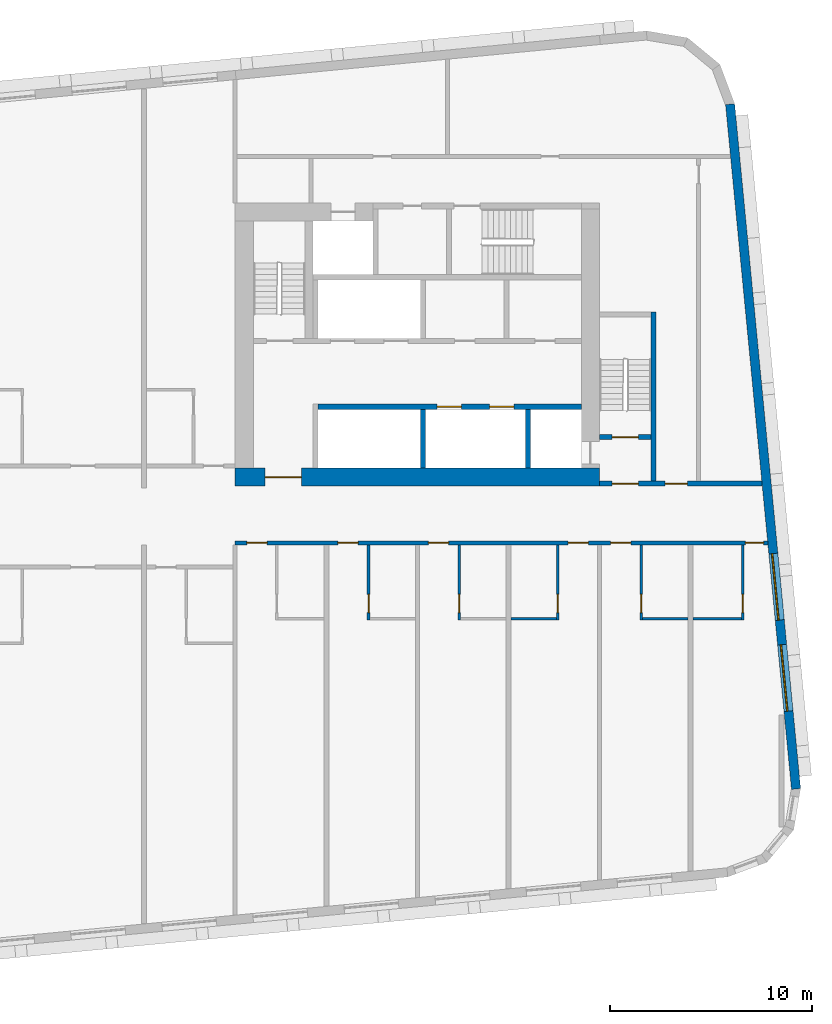
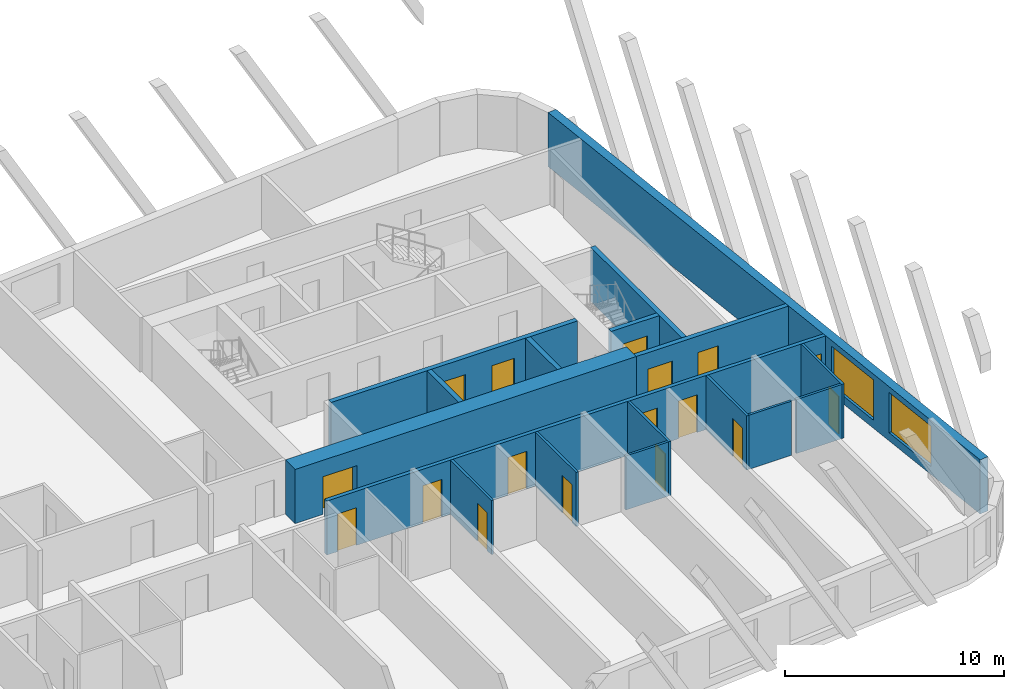
# One storey, part 7 of 13: 17 doors, 17 walls, 2 windows, 19 openings.
"""IFC4 building model written with IfcOpenShell, lengths in metres."""

from ifc_helpers import new_model, si_unit, direction, frame, frame_2d, origin, place, context, subcontext, project, spatial, rectangle, extrude, material, layer, layer_set, type_object, element, fill, save


model = new_model("IFC4")

# Units and contexts
model_context = context("Model", 3, precision=1e-05, world=origin(), true_north=direction((0.0, 1.0)))
body_context = subcontext(model_context, "Body", "Model", "MODEL_VIEW")
ifc_project = project(units=[si_unit("LENGTHUNIT", "METRE"), si_unit("AREAUNIT", "SQUARE_METRE"), si_unit("VOLUMEUNIT", "CUBIC_METRE"), si_unit("PLANEANGLEUNIT", "RADIAN"), si_unit("MASSUNIT", "GRAM", prefix="KILO")], contexts=[model_context])

# Site, building, storey
site_placement = place(None, origin())
site = spatial("IfcSite", under=ifc_project, at=site_placement, CompositionType="ELEMENT")
building_placement = place(site_placement, origin())
building = spatial("IfcBuilding", under=site, at=building_placement, Name="Kajstack Hotel Tower", CompositionType="ELEMENT")
storey_placement = place(building_placement, frame((0.0, 0.0, 186.699951171875)))
storey = spatial("IfcBuildingStorey", under=building, at=storey_placement, Name="L44", CompositionType="ELEMENT", Elevation=186.699951171875)

# Wall, opening, door
ifc_material_1 = material(Name="Concrete C60/75", Category="concrete")
ifc_layer_1 = layer(ifc_material_1, 0.89990234375)
ifc_layer_set_1 = layer_set([ifc_layer_1], Name="Core wall 900")
wall_type_1 = type_object("IfcWallType", Name="Core wall 900", PredefinedType="SHEAR", material=ifc_layer_set_1)
wall_1_placement = place(storey_placement, frame((13.5, 1.949951171875, 0.0), z_axis=(0.0, 0.0, 1.0), x_axis=(1.0, 0.0, 0.0)))
wall_1 = element("IfcWall", 1, at=wall_1_placement, inside=storey, type_object=wall_type_1, Name="Core wall E RN", PredefinedType="SHEAR", context=body_context, shape_type="SweptSolid", body=[
    extrude(rectangle(XDim=18.0, YDim=0.89990234375, at=frame_2d((9.0, 0.0))), origin(), (0.0, 0.0, 1.0), 3.02001953125),
])
opening_1_placement = place(wall_1_placement, frame((1.47509765625, 0.0, 0.0)))
opening_1 = element("IfcOpeningElement", 2, at=opening_1_placement, cuts=wall_1, Name="Opening 44E07", PredefinedType="OPENING", context=body_context, shape_type="SweptSolid", body=[
    extrude(rectangle(XDim=1.800048828125, YDim=2.10009765625, at=frame_2d((0.89990234375, 1.050048828125))), frame((0.0, 0.4599609375, 0.0), z_axis=(0.0, -1.0, 0.0), x_axis=(1.0, 0.0, 0.0)), (0.0, 0.0, 1.0), 0.919921875),
])
ifc_material_2 = material(Name="Glazed steel frame, fire-rated glass", Category="steel")
door_type_1 = type_object("IfcDoorType", Name="Lobby double door 1800", OperationType="DOUBLE_DOOR_DOUBLE_SWING", PredefinedType="DOOR", material=ifc_material_2)
door_1_placement = place(opening_1_placement, origin())
door_1 = element("IfcDoor", 3, at=door_1_placement, inside=storey, type_object=door_type_1, Name="Door 44E07", OperationType="DOUBLE_DOOR_DOUBLE_SWING", OverallHeight=2.10009765625, OverallWidth=1.800048828125, PredefinedType="DOOR", context=body_context, shape_type="SweptSolid", body=[
    extrude(rectangle(XDim=1.800048828125, YDim=2.10009765625, at=frame_2d((0.89990234375, 1.050048828125))), frame((0.0, 0.02490234375, 0.0), z_axis=(0.0, -1.0, 0.0), x_axis=(1.0, 0.0, 0.0)), (0.0, 0.0, 1.0), 0.050048828125),
])
fill(opening_1, door_1)

# Wall, openings, doors
ifc_material_3 = material(Name="Gypsum board on steel studs, mineral wool", Category="steel")
ifc_layer_2 = layer(ifc_material_3, 0.199951171875)
ifc_layer_set_2 = layer_set([ifc_layer_2], Name="Corridor wall 200")
wall_type_2 = type_object("IfcWallType", Name="Corridor wall 200", PredefinedType="PARTITIONING", material=ifc_layer_set_2)
wall_2_placement = place(storey_placement, frame((13.5, -1.300048828125, 0.0), z_axis=(0.0, 0.0, 1.0), x_axis=(1.0, 0.0, 0.0)))
wall_2 = element("IfcWall", 4, at=wall_2_placement, inside=storey, type_object=wall_type_2, Name="G-wall-L44-023", PredefinedType="PARTITIONING", context=body_context, shape_type="SweptSolid", body=[
    extrude(rectangle(XDim=26.31689453125, YDim=0.199951171875, at=frame_2d((13.158447265625, 0.0))), origin(), (0.0, 0.0, 1.0), 3.02001953125),
])
opening_2_placement = place(wall_2_placement, frame((0.574951171875, 0.0, 0.0)))
opening_2 = element("IfcOpeningElement", 5, at=opening_2_placement, cuts=wall_2, Name="Opening 44027", PredefinedType="OPENING", context=body_context, shape_type="SweptSolid", body=[
    extrude(rectangle(XDim=1.0, YDim=2.10009765625, at=frame_2d((0.5, 1.050048828125))), frame((0.0, 0.10986328125, 0.0), z_axis=(0.0, -1.0, 0.0), x_axis=(1.0, 0.0, 0.0)), (0.0, 0.0, 1.0), 0.219970703125),
])
opening_3_placement = place(wall_2_placement, frame((5.074951171875, 0.0, 0.0)))
opening_3 = element("IfcOpeningElement", 6, at=opening_3_placement, cuts=wall_2, Name="Opening 44029", PredefinedType="OPENING", context=body_context, shape_type="SweptSolid", body=[
    extrude(rectangle(XDim=1.0, YDim=2.10009765625, at=frame_2d((0.5, 1.050048828125))), frame((0.0, 0.10986328125, 0.0), z_axis=(0.0, -1.0, 0.0), x_axis=(1.0, 0.0, 0.0)), (0.0, 0.0, 1.0), 0.219970703125),
])
opening_4_placement = place(wall_2_placement, frame((9.550048828125, 0.0, 0.0)))
opening_4 = element("IfcOpeningElement", 7, at=opening_4_placement, cuts=wall_2, Name="Opening 44031", PredefinedType="OPENING", context=body_context, shape_type="SweptSolid", body=[
    extrude(rectangle(XDim=1.0, YDim=2.10009765625, at=frame_2d((0.5, 1.050048828125))), frame((0.0, 0.10986328125, 0.0), z_axis=(0.0, -1.0, 0.0), x_axis=(1.0, 0.0, 0.0)), (0.0, 0.0, 1.0), 0.219970703125),
])
opening_5_placement = place(wall_2_placement, frame((16.449951171875, 0.0, 0.0)))
opening_5 = element("IfcOpeningElement", 8, at=opening_5_placement, cuts=wall_2, Name="Opening 44033", PredefinedType="OPENING", context=body_context, shape_type="SweptSolid", body=[
    extrude(rectangle(XDim=1.0, YDim=2.10009765625, at=frame_2d((0.5, 1.050048828125))), frame((0.0, 0.10986328125, 0.0), z_axis=(0.0, -1.0, 0.0), x_axis=(1.0, 0.0, 0.0)), (0.0, 0.0, 1.0), 0.219970703125),
])
opening_6_placement = place(wall_2_placement, frame((18.550048828125, 0.0, 0.0)))
opening_6 = element("IfcOpeningElement", 9, at=opening_6_placement, cuts=wall_2, Name="Opening 44035", PredefinedType="OPENING", context=body_context, shape_type="SweptSolid", body=[
    extrude(rectangle(XDim=1.0, YDim=2.10009765625, at=frame_2d((0.5, 1.050048828125))), frame((0.0, 0.10986328125, 0.0), z_axis=(0.0, -1.0, 0.0), x_axis=(1.0, 0.0, 0.0)), (0.0, 0.0, 1.0), 0.219970703125),
])
opening_7_placement = place(wall_2_placement, frame((25.2080078125, 0.0, 0.0)))
opening_7 = element("IfcOpeningElement", 10, at=opening_7_placement, cuts=wall_2, Name="Opening 44037", PredefinedType="OPENING", context=body_context, shape_type="SweptSolid", body=[
    extrude(rectangle(XDim=0.89990234375, YDim=2.10009765625, at=frame_2d((0.449951171875, 1.050048828125))), frame((0.0, 0.10986328125, 0.0), z_axis=(0.0, -1.0, 0.0), x_axis=(1.0, 0.0, 0.0)), (0.0, 0.0, 1.0), 0.219970703125),
])
ifc_material_4 = material(Name="Oak veneer on timber core, fire-rated leaf", Category="wood")
door_type_2 = type_object("IfcDoorType", Name="Flat entrance door 1000", OperationType="SINGLE_SWING_LEFT", PredefinedType="DOOR", material=ifc_material_4)
door_2_placement = place(opening_2_placement, origin())
door_2 = element("IfcDoor", 11, at=door_2_placement, inside=storey, type_object=door_type_2, Name="G-door-L44-27", OperationType="SINGLE_SWING_LEFT", OverallHeight=2.10009765625, OverallWidth=1.0, PredefinedType="DOOR", context=body_context, shape_type="SweptSolid", body=[
    extrude(rectangle(XDim=1.0, YDim=2.10009765625, at=frame_2d((0.5, 1.050048828125))), frame((0.0, 0.02490234375, 0.0), z_axis=(0.0, -1.0, 0.0), x_axis=(1.0, 0.0, 0.0)), (0.0, 0.0, 1.0), 0.050048828125),
])
fill(opening_2, door_2)
door_3_placement = place(opening_3_placement, origin())
door_3 = element("IfcDoor", 12, at=door_3_placement, inside=storey, type_object=door_type_2, Name="G-door-L44-29", OperationType="SINGLE_SWING_LEFT", OverallHeight=2.10009765625, OverallWidth=1.0, PredefinedType="DOOR", context=body_context, shape_type="SweptSolid", body=[
    extrude(rectangle(XDim=1.0, YDim=2.10009765625, at=frame_2d((0.5, 1.050048828125))), frame((0.0, 0.02490234375, 0.0), z_axis=(0.0, -1.0, 0.0), x_axis=(1.0, 0.0, 0.0)), (0.0, 0.0, 1.0), 0.050048828125),
])
fill(opening_3, door_3)
door_4_placement = place(opening_4_placement, origin())
door_4 = element("IfcDoor", 13, at=door_4_placement, inside=storey, type_object=door_type_2, Name="G-door-L44-31", OperationType="SINGLE_SWING_LEFT", OverallHeight=2.10009765625, OverallWidth=1.0, PredefinedType="DOOR", context=body_context, shape_type="SweptSolid", body=[
    extrude(rectangle(XDim=1.0, YDim=2.10009765625, at=frame_2d((0.5, 1.050048828125))), frame((0.0, 0.02490234375, 0.0), z_axis=(0.0, -1.0, 0.0), x_axis=(1.0, 0.0, 0.0)), (0.0, 0.0, 1.0), 0.050048828125),
])
fill(opening_4, door_4)
door_5_placement = place(opening_5_placement, origin())
door_5 = element("IfcDoor", 14, at=door_5_placement, inside=storey, type_object=door_type_2, Name="G-door-L44-33", OperationType="SINGLE_SWING_LEFT", OverallHeight=2.10009765625, OverallWidth=1.0, PredefinedType="DOOR", context=body_context, shape_type="SweptSolid", body=[
    extrude(rectangle(XDim=1.0, YDim=2.10009765625, at=frame_2d((0.5, 1.050048828125))), frame((0.0, 0.02490234375, 0.0), z_axis=(0.0, -1.0, 0.0), x_axis=(1.0, 0.0, 0.0)), (0.0, 0.0, 1.0), 0.050048828125),
])
fill(opening_5, door_5)
door_6_placement = place(opening_6_placement, origin())
door_6 = element("IfcDoor", 15, at=door_6_placement, inside=storey, type_object=door_type_2, Name="G-door-L44-35", OperationType="SINGLE_SWING_RIGHT", OverallHeight=2.10009765625, OverallWidth=1.0, PredefinedType="DOOR", context=body_context, shape_type="SweptSolid", body=[
    extrude(rectangle(XDim=1.0, YDim=2.10009765625, at=frame_2d((0.5, 1.050048828125))), frame((0.0, 0.02490234375, 0.0), z_axis=(0.0, -1.0, 0.0), x_axis=(1.0, 0.0, 0.0)), (0.0, 0.0, 1.0), 0.050048828125),
])
fill(opening_6, door_6)
ifc_material_5 = material(Name="Painted timber door leaf", Category="wood")
door_type_3 = type_object("IfcDoorType", Name="Room door 900", OperationType="SINGLE_SWING_LEFT", PredefinedType="DOOR", material=ifc_material_5)
door_7_placement = place(opening_7_placement, origin())
door_7 = element("IfcDoor", 16, at=door_7_placement, inside=storey, type_object=door_type_3, Name="G-door-L44-37", OperationType="SINGLE_SWING_RIGHT", OverallHeight=2.10009765625, OverallWidth=0.89990234375, PredefinedType="DOOR", context=body_context, shape_type="SweptSolid", body=[
    extrude(rectangle(XDim=0.89990234375, YDim=2.10009765625, at=frame_2d((0.449951171875, 1.050048828125))), frame((0.0, 0.02490234375, 0.0), z_axis=(0.0, -1.0, 0.0), x_axis=(1.0, 0.0, 0.0)), (0.0, 0.0, 1.0), 0.050048828125),
])
fill(opening_7, door_7)

# Wall, openings, windows
ifc_material_6 = material(Name="Terracotta-faced brick masonry", Category="masonry")
ifc_layer_3 = layer(ifc_material_6, 0.449951171875)
ifc_layer_set_3 = layer_set([ifc_layer_3], Name="EW-TERRA")
wall_type_3 = type_object("IfcWallType", Name="EW-TERRA", PredefinedType="SOLIDWALL", material=ifc_layer_set_3)
wall_3_placement = place(storey_placement, frame((41.21435546875, -13.465576171875, 0.0), z_axis=(0.0, 0.0, 1.0), x_axis=(-0.095847314626, 0.995396047952, 0.0)))
wall_3 = element("IfcWall", 17, at=wall_3_placement, inside=storey, type_object=wall_type_3, Name="E-wall-L44-08-00", PredefinedType="SOLIDWALL", context=body_context, shape_type="SweptSolid", body=[
    extrude(rectangle(XDim=33.999755859375, YDim=0.449951171875, at=frame_2d((17.0, 0.0))), origin(), (0.0, 0.0, 1.0), 3.02001953125),
])
opening_8_placement = place(wall_3_placement, frame((3.869384765625, 0.0, 0.449951171875)))
opening_8 = element("IfcOpeningElement", 18, at=opening_8_placement, cuts=wall_3, Name="Opening W2", PredefinedType="OPENING", context=body_context, shape_type="SweptSolid", body=[
    extrude(rectangle(XDim=3.300048828125, YDim=2.25, at=frame_2d((1.64990234375, 1.125))), frame((0.0, 0.23486328125, 0.0), z_axis=(0.0, -1.0, 0.0), x_axis=(1.0, 0.0, 0.0)), (0.0, 0.0, 1.0), 0.469970703125),
])
opening_9_placement = place(wall_3_placement, frame((8.390380859375, 0.0, 0.449951171875)))
opening_9 = element("IfcOpeningElement", 19, at=opening_9_placement, cuts=wall_3, Name="Opening W2", PredefinedType="OPENING", context=body_context, shape_type="SweptSolid", body=[
    extrude(rectangle(XDim=3.300048828125, YDim=2.25, at=frame_2d((1.64990234375, 1.125))), frame((0.0, 0.23486328125, 0.0), z_axis=(0.0, -1.0, 0.0), x_axis=(1.0, 0.0, 0.0)), (0.0, 0.0, 1.0), 0.469970703125),
])
ifc_material_7 = material(Name="Timber-aluminium window, triple glazed", Category="wood")
window_type = type_object("IfcWindowType", Name="WG2", PartitioningType="SINGLE_PANEL", PredefinedType="WINDOW", material=ifc_material_7)
window_1_placement = place(opening_8_placement, origin())
window_1 = element("IfcWindow", 20, at=window_1_placement, inside=storey, type_object=window_type, Name="Window W2 L44-08", OverallHeight=2.25, OverallWidth=3.300048828125, PartitioningType="SINGLE_PANEL", PredefinedType="WINDOW", context=body_context, shape_type="SweptSolid", body=[
    extrude(rectangle(XDim=3.300048828125, YDim=2.25, at=frame_2d((1.64990234375, 1.125))), frame((0.0, 0.090087890625, 0.0), z_axis=(0.0, -1.0, 0.0), x_axis=(1.0, 0.0, 0.0)), (0.0, 0.0, 1.0), 0.06005859375),
])
fill(opening_8, window_1)
window_2_placement = place(opening_9_placement, origin())
window_2 = element("IfcWindow", 21, at=window_2_placement, inside=storey, type_object=window_type, Name="Window W2 L44-08", OverallHeight=2.25, OverallWidth=3.300048828125, PartitioningType="SINGLE_PANEL", PredefinedType="WINDOW", context=body_context, shape_type="SweptSolid", body=[
    extrude(rectangle(XDim=3.300048828125, YDim=2.25, at=frame_2d((1.64990234375, 1.125))), frame((0.0, 0.090087890625, 0.0), z_axis=(0.0, -1.0, 0.0), x_axis=(1.0, 0.0, 0.0)), (0.0, 0.0, 1.0), 0.06005859375),
])
fill(opening_9, window_2)

# Wall, opening, door
ifc_material_8 = material(Name="Gypsum board and tiled backer on steel studs", Category="steel")
ifc_layer_4 = layer(ifc_material_8, 0.125)
ifc_layer_set_4 = layer_set([ifc_layer_4], Name="En-suite wall 125")
wall_type_4 = type_object("IfcWallType", Name="En-suite wall 125", PredefinedType="PARTITIONING", material=ifc_layer_set_4)
wall_4_placement = place(storey_placement, frame((20.0869140625, -5.125, 0.0), z_axis=(0.0, 0.0, 1.0), x_axis=(0.0, 1.0, 0.0)))
wall_4 = element("IfcWall", 22, at=wall_4_placement, inside=storey, type_object=wall_type_4, Name="G-wall-L44-039", PredefinedType="PARTITIONING", context=body_context, shape_type="SweptSolid", body=[
    extrude(rectangle(XDim=3.72509765625, YDim=0.125, at=frame_2d((1.862548828125, 0.0))), origin(), (0.0, 0.0, 1.0), 3.02001953125),
])
opening_10_placement = place(wall_4_placement, frame((0.375, 0.0, 0.0)))
opening_10 = element("IfcOpeningElement", 23, at=opening_10_placement, cuts=wall_4, Name="Opening 44030", PredefinedType="OPENING", context=body_context, shape_type="SweptSolid", body=[
    extrude(rectangle(XDim=0.89990234375, YDim=2.10009765625, at=frame_2d((0.449951171875, 1.050048828125))), frame((0.0, 0.072509765625, 0.0), z_axis=(0.0, -1.0, 0.0), x_axis=(1.0, 0.0, 0.0)), (0.0, 0.0, 1.0), 0.14501953125),
])
door_8_placement = place(opening_10_placement, origin())
door_8 = element("IfcDoor", 24, at=door_8_placement, inside=storey, type_object=door_type_3, Name="G-door-L44-30", OperationType="SINGLE_SWING_RIGHT", OverallHeight=2.10009765625, OverallWidth=0.89990234375, PredefinedType="DOOR", context=body_context, shape_type="SweptSolid", body=[
    extrude(rectangle(XDim=0.89990234375, YDim=2.10009765625, at=frame_2d((0.449951171875, 1.050048828125))), frame((0.0, 0.02490234375, 0.0), z_axis=(0.0, -1.0, 0.0), x_axis=(1.0, 0.0, 0.0)), (0.0, 0.0, 1.0), 0.050048828125),
])
fill(opening_10, door_8)

wall_5_placement = place(storey_placement, frame((24.56201171875, -5.125, 0.0), z_axis=(0.0, 0.0, 1.0), x_axis=(0.0, 1.0, 0.0)))
wall_5 = element("IfcWall", 25, at=wall_5_placement, inside=storey, type_object=wall_type_4, Name="G-wall-L44-041", PredefinedType="PARTITIONING", context=body_context, shape_type="SweptSolid", body=[
    extrude(rectangle(XDim=3.72509765625, YDim=0.125, at=frame_2d((1.862548828125, 0.0))), origin(), (0.0, 0.0, 1.0), 3.02001953125),
])
opening_11_placement = place(wall_5_placement, frame((0.375, 0.0, 0.0)))
opening_11 = element("IfcOpeningElement", 26, at=opening_11_placement, cuts=wall_5, Name="Opening 44032", PredefinedType="OPENING", context=body_context, shape_type="SweptSolid", body=[
    extrude(rectangle(XDim=0.89990234375, YDim=2.10009765625, at=frame_2d((0.449951171875, 1.050048828125))), frame((0.0, 0.072509765625, 0.0), z_axis=(0.0, -1.0, 0.0), x_axis=(1.0, 0.0, 0.0)), (0.0, 0.0, 1.0), 0.14501953125),
])
door_9_placement = place(opening_11_placement, origin())
door_9 = element("IfcDoor", 27, at=door_9_placement, inside=storey, type_object=door_type_3, Name="G-door-L44-32", OperationType="SINGLE_SWING_RIGHT", OverallHeight=2.10009765625, OverallWidth=0.89990234375, PredefinedType="DOOR", context=body_context, shape_type="SweptSolid", body=[
    extrude(rectangle(XDim=0.89990234375, YDim=2.10009765625, at=frame_2d((0.449951171875, 1.050048828125))), frame((0.0, 0.02490234375, 0.0), z_axis=(0.0, -1.0, 0.0), x_axis=(1.0, 0.0, 0.0)), (0.0, 0.0, 1.0), 0.050048828125),
])
fill(opening_11, door_9)

wall_6_placement = place(storey_placement, frame((29.43798828125, -5.125, 0.0), z_axis=(0.0, 0.0, 1.0), x_axis=(0.0, 1.0, 0.0)))
wall_6 = element("IfcWall", 28, at=wall_6_placement, inside=storey, type_object=wall_type_4, Name="G-wall-L44-044", PredefinedType="PARTITIONING", context=body_context, shape_type="SweptSolid", body=[
    extrude(rectangle(XDim=3.72509765625, YDim=0.125, at=frame_2d((1.862548828125, 0.0))), origin(), (0.0, 0.0, 1.0), 3.02001953125),
])
opening_12_placement = place(wall_6_placement, frame((0.375, 0.0, 0.0)))
opening_12 = element("IfcOpeningElement", 29, at=opening_12_placement, cuts=wall_6, Name="Opening 44034", PredefinedType="OPENING", context=body_context, shape_type="SweptSolid", body=[
    extrude(rectangle(XDim=0.89990234375, YDim=2.10009765625, at=frame_2d((0.449951171875, 1.050048828125))), frame((0.0, 0.072509765625, 0.0), z_axis=(0.0, -1.0, 0.0), x_axis=(1.0, 0.0, 0.0)), (0.0, 0.0, 1.0), 0.14501953125),
])
door_10_placement = place(opening_12_placement, origin())
door_10 = element("IfcDoor", 30, at=door_10_placement, inside=storey, type_object=door_type_3, Name="G-door-L44-34", OperationType="SINGLE_SWING_LEFT", OverallHeight=2.10009765625, OverallWidth=0.89990234375, PredefinedType="DOOR", context=body_context, shape_type="SweptSolid", body=[
    extrude(rectangle(XDim=0.89990234375, YDim=2.10009765625, at=frame_2d((0.449951171875, 1.050048828125))), frame((0.0, 0.02490234375, 0.0), z_axis=(0.0, -1.0, 0.0), x_axis=(1.0, 0.0, 0.0)), (0.0, 0.0, 1.0), 0.050048828125),
])
fill(opening_12, door_10)

# Wall
wall_7_placement = place(storey_placement, frame((27.125, -5.06201171875, 0.0), z_axis=(0.0, 0.0, 1.0), x_axis=(1.0, 0.0, 0.0)))
element("IfcWall", 31, at=wall_7_placement, inside=storey, type_object=wall_type_4, Name="G-wall-L44-045", PredefinedType="PARTITIONING", context=body_context, shape_type="SweptSolid", body=[
    extrude(rectangle(XDim=2.25, YDim=0.125, at=frame_2d((1.125, 0.0))), origin(), (0.0, 0.0, 1.0), 3.02001953125),
])

# Wall, opening, door
wall_8_placement = place(storey_placement, frame((33.56201171875, -5.125, 0.0), z_axis=(0.0, 0.0, 1.0), x_axis=(0.0, 1.0, 0.0)))
wall_8 = element("IfcWall", 32, at=wall_8_placement, inside=storey, type_object=wall_type_4, Name="G-wall-L44-046", PredefinedType="PARTITIONING", context=body_context, shape_type="SweptSolid", body=[
    extrude(rectangle(XDim=3.72509765625, YDim=0.125, at=frame_2d((1.862548828125, 0.0))), origin(), (0.0, 0.0, 1.0), 3.02001953125),
])
opening_13_placement = place(wall_8_placement, frame((0.375, 0.0, 0.0)))
opening_13 = element("IfcOpeningElement", 33, at=opening_13_placement, cuts=wall_8, Name="Opening 44036", PredefinedType="OPENING", context=body_context, shape_type="SweptSolid", body=[
    extrude(rectangle(XDim=0.89990234375, YDim=2.10009765625, at=frame_2d((0.449951171875, 1.050048828125))), frame((0.0, 0.072509765625, 0.0), z_axis=(0.0, -1.0, 0.0), x_axis=(1.0, 0.0, 0.0)), (0.0, 0.0, 1.0), 0.14501953125),
])
door_11_placement = place(opening_13_placement, origin())
door_11 = element("IfcDoor", 34, at=door_11_placement, inside=storey, type_object=door_type_3, Name="G-door-L44-36", OperationType="SINGLE_SWING_LEFT", OverallHeight=2.10009765625, OverallWidth=0.89990234375, PredefinedType="DOOR", context=body_context, shape_type="SweptSolid", body=[
    extrude(rectangle(XDim=0.89990234375, YDim=2.10009765625, at=frame_2d((0.449951171875, 1.050048828125))), frame((0.0, 0.02490234375, 0.0), z_axis=(0.0, -1.0, 0.0), x_axis=(1.0, 0.0, 0.0)), (0.0, 0.0, 1.0), 0.050048828125),
])
fill(opening_13, door_11)

# Wall
wall_9_placement = place(storey_placement, frame((33.625, -5.06201171875, 0.0), z_axis=(0.0, 0.0, 1.0), x_axis=(1.0, 0.0, 0.0)))
element("IfcWall", 35, at=wall_9_placement, inside=storey, type_object=wall_type_4, Name="G-wall-L44-047", PredefinedType="PARTITIONING", context=body_context, shape_type="SweptSolid", body=[
    extrude(rectangle(XDim=2.25, YDim=0.125, at=frame_2d((1.125, 0.0))), origin(), (0.0, 0.0, 1.0), 3.02001953125),
])

# Wall, opening, door
wall_10_placement = place(storey_placement, frame((38.5869140625, -5.125, 0.0), z_axis=(0.0, 0.0, 1.0), x_axis=(0.0, 1.0, 0.0)))
wall_10 = element("IfcWall", 36, at=wall_10_placement, inside=storey, type_object=wall_type_4, Name="G-wall-L44-048", PredefinedType="PARTITIONING", context=body_context, shape_type="SweptSolid", body=[
    extrude(rectangle(XDim=3.72509765625, YDim=0.125, at=frame_2d((1.862548828125, 0.0))), origin(), (0.0, 0.0, 1.0), 3.02001953125),
])
opening_14_placement = place(wall_10_placement, frame((0.375, 0.0, 0.0)))
opening_14 = element("IfcOpeningElement", 37, at=opening_14_placement, cuts=wall_10, Name="Opening 44038", PredefinedType="OPENING", context=body_context, shape_type="SweptSolid", body=[
    extrude(rectangle(XDim=0.89990234375, YDim=2.10009765625, at=frame_2d((0.449951171875, 1.050048828125))), frame((0.0, 0.072509765625, 0.0), z_axis=(0.0, -1.0, 0.0), x_axis=(1.0, 0.0, 0.0)), (0.0, 0.0, 1.0), 0.14501953125),
])
door_12_placement = place(opening_14_placement, origin())
door_12 = element("IfcDoor", 38, at=door_12_placement, inside=storey, type_object=door_type_3, Name="G-door-L44-38", OperationType="SINGLE_SWING_LEFT", OverallHeight=2.10009765625, OverallWidth=0.89990234375, PredefinedType="DOOR", context=body_context, shape_type="SweptSolid", body=[
    extrude(rectangle(XDim=0.89990234375, YDim=2.10009765625, at=frame_2d((0.449951171875, 1.050048828125))), frame((0.0, 0.02490234375, 0.0), z_axis=(0.0, -1.0, 0.0), x_axis=(1.0, 0.0, 0.0)), (0.0, 0.0, 1.0), 0.050048828125),
])
fill(opening_14, door_12)

# Walls
wall_11_placement = place(storey_placement, frame((36.125, -5.06201171875, 0.0), z_axis=(0.0, 0.0, 1.0), x_axis=(1.0, 0.0, 0.0)))
element("IfcWall", 39, at=wall_11_placement, inside=storey, type_object=wall_type_4, Name="G-wall-L44-049", PredefinedType="PARTITIONING", context=body_context, shape_type="SweptSolid", body=[
    extrude(rectangle(XDim=2.39990234375, YDim=0.125, at=frame_2d((1.199951171875, 0.0))), origin(), (0.0, 0.0, 1.0), 3.02001953125),
])
ifc_material_9 = material(Name="Concrete C50/60", Category="concrete")
ifc_layer_5 = layer(ifc_material_9, 0.300048828125)
ifc_layer_set_5 = layer_set([ifc_layer_5], Name="Hoistway divider wall 300")
wall_type_5 = type_object("IfcWallType", Name="Hoistway divider wall 300", PredefinedType="SHEAR", material=ifc_layer_set_5)
wall_12_placement = place(storey_placement, frame((22.77490234375, 2.39990234375, 0.0), z_axis=(0.0, 0.0, 1.0), x_axis=(0.0, 1.0, 0.0)))
element("IfcWall", 40, at=wall_12_placement, inside=storey, type_object=wall_type_5, Name="Core wall E AP2", PredefinedType="SHEAR", context=body_context, shape_type="SweptSolid", body=[
    extrude(rectangle(XDim=2.900146484375, YDim=0.25, at=frame_2d((1.4501953125, 0.0))), origin(), (0.0, 0.0, 1.0), 3.02001953125),
])

# Wall, openings, doors
ifc_layer_6 = layer(ifc_material_3, 0.199951171875)
ifc_layer_set_6 = layer_set([ifc_layer_6], Name="Service partition 200")
wall_type_6 = type_object("IfcWallType", Name="Service partition 200", PredefinedType="PARTITIONING", material=ifc_layer_set_6)
wall_13_placement = place(storey_placement, frame((31.5, 1.625, 0.0), z_axis=(0.0, 0.0, 1.0), x_axis=(1.0, 0.0, 0.0)))
wall_13 = element("IfcWall", 41, at=wall_13_placement, inside=storey, type_object=wall_type_6, Name="Partition E SN", PredefinedType="PARTITIONING", context=body_context, shape_type="SweptSolid", body=[
    extrude(rectangle(XDim=8.035400390625, YDim=0.25, at=frame_2d((4.017578125, 0.0))), origin(), (0.0, 0.0, 1.0), 3.02001953125),
])
opening_15_placement = place(wall_13_placement, frame((0.625, 0.0, 0.0)))
opening_15 = element("IfcOpeningElement", 42, at=opening_15_placement, cuts=wall_13, Name="Opening 44E08", PredefinedType="OPENING", context=body_context, shape_type="SweptSolid", body=[
    extrude(rectangle(XDim=1.300048828125, YDim=2.10009765625, at=frame_2d((0.64990234375, 1.050048828125))), frame((0.0, 0.135009765625, 0.0), z_axis=(0.0, -1.0, 0.0), x_axis=(1.0, 0.0, 0.0)), (0.0, 0.0, 1.0), 0.27001953125),
])
opening_16_placement = place(wall_13_placement, frame((3.25, 0.0, 0.0)))
opening_16 = element("IfcOpeningElement", 43, at=opening_16_placement, cuts=wall_13, Name="Opening 44E10", PredefinedType="OPENING", context=body_context, shape_type="SweptSolid", body=[
    extrude(rectangle(XDim=1.10009765625, YDim=2.10009765625, at=frame_2d((0.550048828125, 1.050048828125))), frame((0.0, 0.135009765625, 0.0), z_axis=(0.0, -1.0, 0.0), x_axis=(1.0, 0.0, 0.0)), (0.0, 0.0, 1.0), 0.27001953125),
])
ifc_material_10 = material(Name="Steel leaf, fire-rated", Category="steel")
door_type_4 = type_object("IfcDoorType", Name="Fire lobby door 1300", OperationType="SINGLE_SWING_LEFT", PredefinedType="DOOR", material=ifc_material_10)
door_13_placement = place(opening_15_placement, origin())
door_13 = element("IfcDoor", 44, at=door_13_placement, inside=storey, type_object=door_type_4, Name="Door 44E08", OperationType="SINGLE_SWING_LEFT", OverallHeight=2.10009765625, OverallWidth=1.300048828125, PredefinedType="DOOR", context=body_context, shape_type="SweptSolid", body=[
    extrude(rectangle(XDim=1.300048828125, YDim=2.10009765625, at=frame_2d((0.64990234375, 1.050048828125))), frame((0.0, 0.02490234375, 0.0), z_axis=(0.0, -1.0, 0.0), x_axis=(1.0, 0.0, 0.0)), (0.0, 0.0, 1.0), 0.050048828125),
])
fill(opening_15, door_13)
ifc_material_11 = material(Name="Timber leaf, fire-rated", Category="wood")
door_type_5 = type_object("IfcDoorType", Name="Service corridor door 1100", OperationType="SINGLE_SWING_LEFT", PredefinedType="DOOR", material=ifc_material_11)
door_14_placement = place(opening_16_placement, origin())
door_14 = element("IfcDoor", 45, at=door_14_placement, inside=storey, type_object=door_type_5, Name="Door 44E10", OperationType="SINGLE_SWING_LEFT", OverallHeight=2.10009765625, OverallWidth=1.10009765625, PredefinedType="DOOR", context=body_context, shape_type="SweptSolid", body=[
    extrude(rectangle(XDim=1.10009765625, YDim=2.10009765625, at=frame_2d((0.550048828125, 1.050048828125))), frame((0.0, 0.02490234375, 0.0), z_axis=(0.0, -1.0, 0.0), x_axis=(1.0, 0.0, 0.0)), (0.0, 0.0, 1.0), 0.050048828125),
])
fill(opening_16, door_14)

ifc_layer_7 = layer(ifc_material_9, 0.25)
ifc_layer_set_7 = layer_set([ifc_layer_7], Name="Shaft wall 250")
wall_type_7 = type_object("IfcWallType", Name="Shaft wall 250", PredefinedType="SHEAR", material=ifc_layer_set_7)
wall_14_placement = place(storey_placement, frame((17.60009765625, 5.425048828125, 0.0), z_axis=(0.0, 0.0, 1.0), x_axis=(1.0, 0.0, 0.0)))
wall_14 = element("IfcWall", 46, at=wall_14_placement, inside=storey, type_object=wall_type_7, Name="Core wall E FA", PredefinedType="SHEAR", context=body_context, shape_type="SweptSolid", body=[
    extrude(rectangle(XDim=13.0, YDim=0.25, at=frame_2d((6.5, 0.0))), origin(), (0.0, 0.0, 1.0), 3.02001953125),
])
opening_17_placement = place(wall_14_placement, frame((8.47509765625, 0.0, 0.0)))
opening_17 = element("IfcOpeningElement", 47, at=opening_17_placement, cuts=wall_14, Name="Opening LD-MR7", PredefinedType="OPENING", context=body_context, shape_type="SweptSolid", body=[
    extrude(rectangle(XDim=1.199951171875, YDim=2.10009765625, at=frame_2d((0.60009765625, 1.050048828125))), frame((0.0, 0.135009765625, 0.0), z_axis=(0.0, -1.0, 0.0), x_axis=(1.0, 0.0, 0.0)), (0.0, 0.0, 1.0), 0.27001953125),
])
opening_18_placement = place(wall_14_placement, frame((5.875, 0.0, 0.0)))
opening_18 = element("IfcOpeningElement", 48, at=opening_18_placement, cuts=wall_14, Name="Opening LD-MR8", PredefinedType="OPENING", context=body_context, shape_type="SweptSolid", body=[
    extrude(rectangle(XDim=1.199951171875, YDim=2.10009765625, at=frame_2d((0.60009765625, 1.050048828125))), frame((0.0, 0.135009765625, 0.0), z_axis=(0.0, -1.0, 0.0), x_axis=(1.0, 0.0, 0.0)), (0.0, 0.0, 1.0), 0.27001953125),
])
ifc_material_12 = material(Name="Stainless steel", Category="steel")
door_type_6 = type_object("IfcDoorType", Name="Lift landing door 1200", OperationType="SLIDING_TO_LEFT", PredefinedType="DOOR", material=ifc_material_12)
door_15_placement = place(opening_17_placement, origin())
door_15 = element("IfcDoor", 49, at=door_15_placement, inside=storey, type_object=door_type_6, Name="Landing door MR7", OperationType="SLIDING_TO_LEFT", OverallHeight=2.10009765625, OverallWidth=1.199951171875, PredefinedType="DOOR", context=body_context, shape_type="SweptSolid", body=[
    extrude(rectangle(XDim=1.199951171875, YDim=2.10009765625, at=frame_2d((0.60009765625, 1.050048828125))), frame((0.0, 0.02490234375, 0.0), z_axis=(0.0, -1.0, 0.0), x_axis=(1.0, 0.0, 0.0)), (0.0, 0.0, 1.0), 0.050048828125),
])
fill(opening_17, door_15)
door_16_placement = place(opening_18_placement, origin())
door_16 = element("IfcDoor", 50, at=door_16_placement, inside=storey, type_object=door_type_6, Name="Landing door MR8", OperationType="SLIDING_TO_RIGHT", OverallHeight=2.10009765625, OverallWidth=1.199951171875, PredefinedType="DOOR", context=body_context, shape_type="SweptSolid", body=[
    extrude(rectangle(XDim=1.199951171875, YDim=2.10009765625, at=frame_2d((0.60009765625, 1.050048828125))), frame((0.0, 0.02490234375, 0.0), z_axis=(0.0, -1.0, 0.0), x_axis=(1.0, 0.0, 0.0)), (0.0, 0.0, 1.0), 0.050048828125),
])
fill(opening_18, door_16)

# Wall
wall_15_placement = place(storey_placement, frame((27.97509765625, 2.39990234375, 0.0), z_axis=(0.0, 0.0, 1.0), x_axis=(0.0, 1.0, 0.0)))
element("IfcWall", 51, at=wall_15_placement, inside=storey, type_object=wall_type_7, Name="Core wall E AP0", PredefinedType="SHEAR", context=body_context, shape_type="SweptSolid", body=[
    extrude(rectangle(XDim=2.900146484375, YDim=0.25, at=frame_2d((1.4501953125, 0.0))), origin(), (0.0, 0.0, 1.0), 3.02001953125),
])

# Wall, opening, door
ifc_material_13 = material(Name="Concrete C40/50", Category="concrete")
ifc_layer_8 = layer(ifc_material_13, 0.25)
ifc_layer_set_8 = layer_set([ifc_layer_8], Name="Stair enclosure wall 250")
wall_type_8 = type_object("IfcWallType", Name="Stair enclosure wall 250", PredefinedType="SHEAR", material=ifc_layer_set_8)
wall_16_placement = place(storey_placement, frame((31.5, 3.925048828125, 0.0), z_axis=(0.0, 0.0, 1.0), x_axis=(1.0, 0.0, 0.0)))
wall_16 = element("IfcWall", 52, at=wall_16_placement, inside=storey, type_object=wall_type_8, Name="Core wall E W1N", PredefinedType="SHEAR", context=body_context, shape_type="SweptSolid", body=[
    extrude(rectangle(XDim=2.550048828125, YDim=0.25, at=frame_2d((1.27490234375, 0.0))), origin(), (0.0, 0.0, 1.0), 3.02001953125),
])
opening_19_placement = place(wall_16_placement, frame((0.625, 0.0, 0.0)))
opening_19 = element("IfcOpeningElement", 53, at=opening_19_placement, cuts=wall_16, Name="Opening 44E09", PredefinedType="OPENING", context=body_context, shape_type="SweptSolid", body=[
    extrude(rectangle(XDim=1.300048828125, YDim=2.10009765625, at=frame_2d((0.64990234375, 1.050048828125))), frame((0.0, 0.135009765625, 0.0), z_axis=(0.0, -1.0, 0.0), x_axis=(1.0, 0.0, 0.0)), (0.0, 0.0, 1.0), 0.27001953125),
])
door_type_7 = type_object("IfcDoorType", Name="Stair door 1300", OperationType="SINGLE_SWING_LEFT", PredefinedType="DOOR", material=ifc_material_10)
door_17_placement = place(opening_19_placement, origin())
door_17 = element("IfcDoor", 54, at=door_17_placement, inside=storey, type_object=door_type_7, Name="Door 44E09", OperationType="SINGLE_SWING_LEFT", OverallHeight=2.10009765625, OverallWidth=1.300048828125, PredefinedType="DOOR", context=body_context, shape_type="SweptSolid", body=[
    extrude(rectangle(XDim=1.300048828125, YDim=2.10009765625, at=frame_2d((0.64990234375, 1.050048828125))), frame((0.0, 0.02490234375, 0.0), z_axis=(0.0, -1.0, 0.0), x_axis=(1.0, 0.0, 0.0)), (0.0, 0.0, 1.0), 0.050048828125),
])
fill(opening_19, door_17)

# Wall
wall_17_placement = place(storey_placement, frame((34.175048828125, 1.75, 0.0), z_axis=(0.0, 0.0, 1.0), x_axis=(0.0, 1.0, 0.0)))
element("IfcWall", 55, at=wall_17_placement, inside=storey, type_object=wall_type_8, Name="Core wall E W1W", PredefinedType="SHEAR", context=body_context, shape_type="SweptSolid", body=[
    extrude(rectangle(XDim=8.35009765625, YDim=0.25, at=frame_2d((4.175048828125, 0.0))), origin(), (0.0, 0.0, 1.0), 3.02001953125),
])

save(model, "model.ifc")
